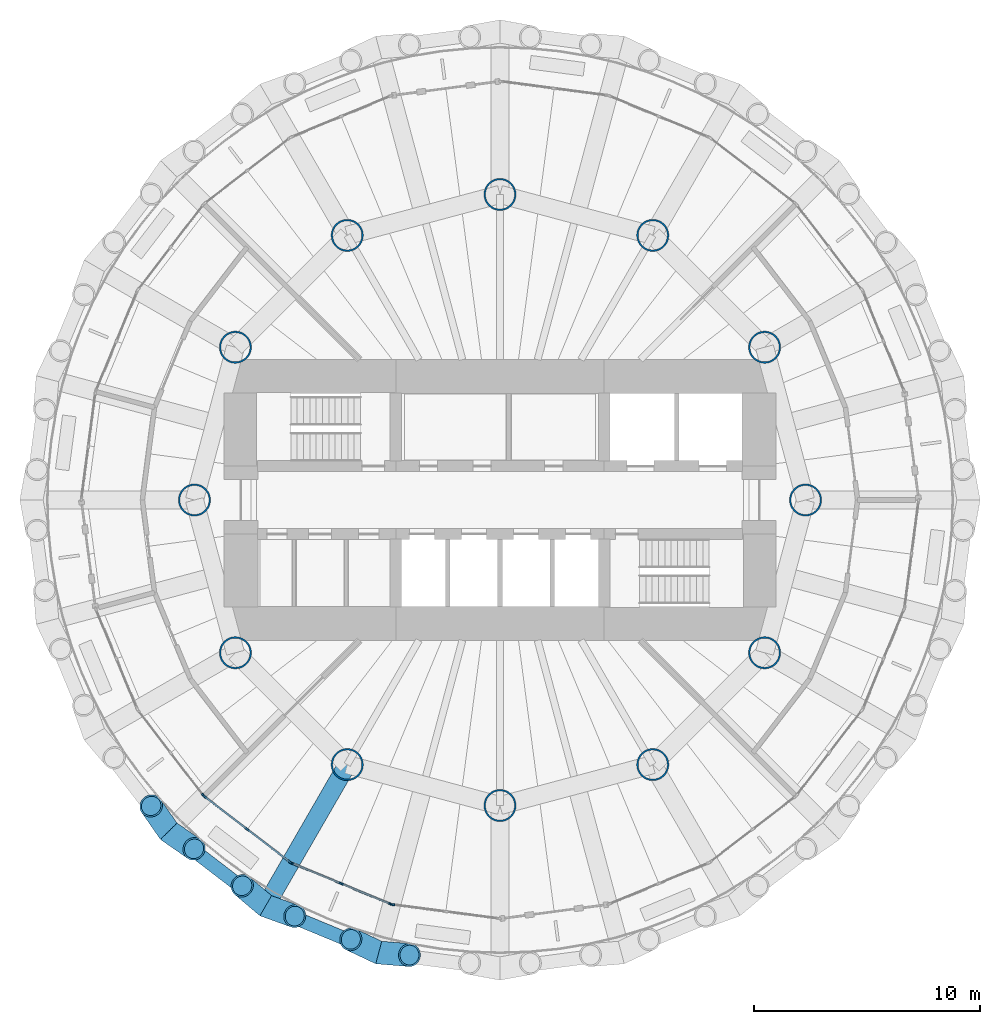
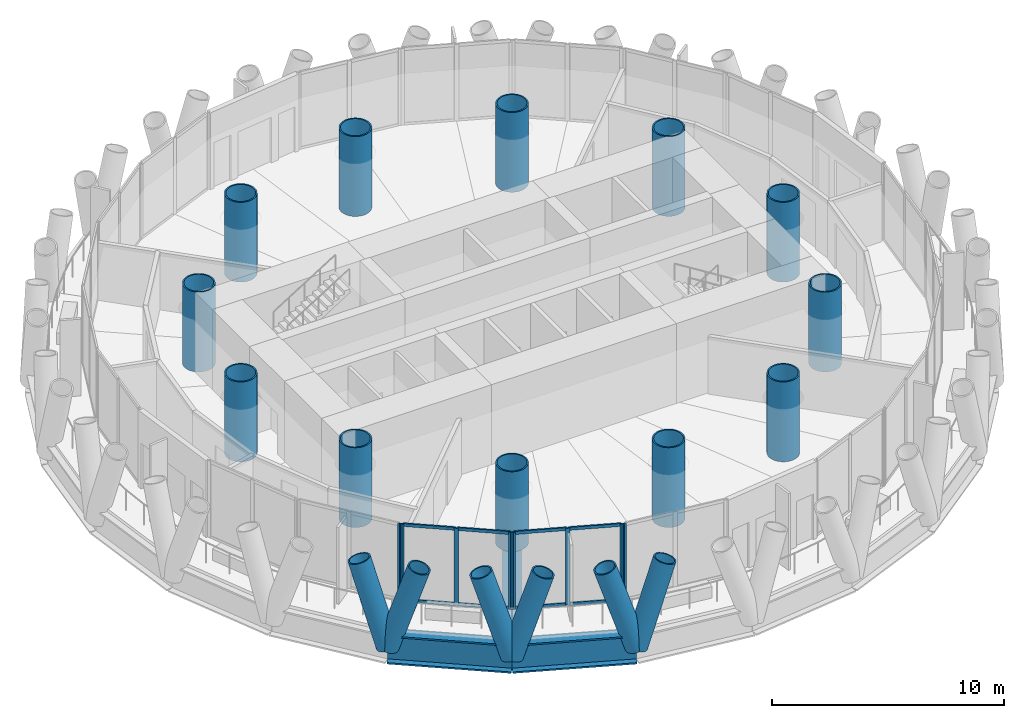
# One storey, part 1 of 12: 22 members, 12 columns, 3 beams, 4 elements without a shape of their own.
"""IFC4 building model written with IfcOpenShell, lengths in metres."""

from ifc_helpers import new_model, si_unit, direction, frame, origin, origin_2d, place, context, subcontext, project, spatial, rectangle, hollow_circle, i_section, extrude, material, material_profile, profile_set, type_object, element, aggregate, save


model = new_model("IFC4")

# Units and contexts
model_context = context("Model", 3, precision=1e-05, world=origin(), true_north=direction((0.0, 1.0)))
body_context = subcontext(model_context, "Body", "Model", "MODEL_VIEW")
ifc_project = project(units=[si_unit("LENGTHUNIT", "METRE"), si_unit("AREAUNIT", "SQUARE_METRE"), si_unit("VOLUMEUNIT", "CUBIC_METRE"), si_unit("PLANEANGLEUNIT", "RADIAN"), si_unit("MASSUNIT", "GRAM", prefix="KILO")], contexts=[model_context])

# Site, building, storey
site_placement = place(None, origin())
site = spatial("IfcSite", under=ifc_project, at=site_placement, CompositionType="ELEMENT")
building_placement = place(site_placement, origin())
building = spatial("IfcBuilding", under=site, at=building_placement, Name="Qaws Media Tower", CompositionType="ELEMENT")
storey_placement = place(building_placement, frame((0.0, 0.0, 278.0)))
storey = spatial("IfcBuildingStorey", under=building, at=storey_placement, Name="L64", CompositionType="ELEMENT", Elevation=278.0)

# Columns
ifc_material_1 = material(Name="Steel S460", Category="steel")
ifc_material_profile_1 = material_profile(ifc_material_1, hollow_circle(Radius=0.7109375, WallThickness=0.070068359375, at=origin_2d()), Name="CHS 1422x70")
ifc_profile_set_1 = profile_set([ifc_material_profile_1], Name="Steel S460")
column_type = type_object("IfcColumnType", Name="Inner column CHS 1422x70", PredefinedType="COLUMN", material=ifc_profile_set_1)
for number, where, z_axis, x_axis, name in (
    (1, (73.5, 50.0, 0.0), (0.0, 0.0, 1.0), (1.0, 0.0, 0.0), "C5 inner column I01 L64"),
    (2, (71.69140625, 56.75, 0.0), (0.0, 0.0, 1.0), (1.0, 0.0, 0.0), "C5 inner column I02 L64"),
    (3, (66.75, 61.69140625, 0.0), (0.0, 0.0, 1.0), (1.0, 0.0, 0.0), "C5 inner column I03 L64"),
    (4, (60.0, 63.5, 0.0), (0.0, 0.0, 1.0), (1.0, 0.0, 0.0), "C5 inner column I04 L64"),
    (5, (53.25, 61.69140625, 0.0), (0.0, 0.0, 1.0), (1.0, 0.0, 0.0), "C5 inner column I05 L64"),
    (6, (48.30859375, 56.75, 0.0), (0.0, 0.0, 1.0), (1.0, 0.0, 0.0), "C5 inner column I06 L64"),
    (7, (46.5, 50.0, 0.0), (0.0, 0.0, 1.0), (1.0, 0.0, 0.0), "C5 inner column I07 L64"),
    (8, (48.30859375, 43.25, 0.0), (0.0, 0.0, 1.0), (1.0, 0.0, 0.0), "C5 inner column I08 L64"),
    (9, (53.25, 38.30859375, 0.0), (0.0, 0.0, 1.0), (1.0, 0.0, 0.0), "C5 inner column I09 L64"),
    (10, (60.0, 36.5, 0.0), (0.0, 0.0, 1.0), (1.0, 0.0, 0.0), "C5 inner column I10 L64"),
    (11, (66.75, 38.30859375, 0.0), (0.0, 0.0, 1.0), (1.0, 0.0, 0.0), "C5 inner column I11 L64"),
    (12, (71.69140625, 43.25, 0.0), (0.0, 0.0, 1.0), (1.0, 0.0, 0.0), "C5 inner column I12 L64"),
):
    element("IfcColumn", number, at=place(storey_placement, frame(where, z_axis=z_axis, x_axis=x_axis)), inside=storey, type_object=column_type, Name=name, PredefinedType="COLUMN", context=body_context, shape_type="SweptSolid", body=[
        extrude(hollow_circle(Radius=0.7109375, WallThickness=0.070068359375, at=origin_2d()), origin(), (0.0, 0.0, 1.0), 4.199951171875),
    ])

# Curtain wall, member
ifc_material_2 = material(Name="Aluminium and clear glass", Category="aluminium")
curtain_wall_type = type_object("IfcCurtainWallType", Name="Unitised curtain wall CW-D", PredefinedType="NOTDEFINED", material=ifc_material_2)
curtain_wall_1_placement = place(storey_placement, origin())
curtain_wall_1 = element("IfcCurtainWall", 13, at=curtain_wall_1_placement, inside=storey, type_object=curtain_wall_type, Name="CWD curtain wall L64-15", PredefinedType="NOTDEFINED")
ifc_material_3 = material(Name="Aluminium mullion", Category="aluminium")
ifc_material_profile_2 = material_profile(ifc_material_3, rectangle(XDim=0.080078125, YDim=0.199951171875, at=origin_2d()), Name="80x200")
ifc_profile_set_2 = profile_set([ifc_material_profile_2], Name="Aluminium mullion")
member_type_1 = type_object("IfcMemberType", Name="Curtain wall mullion 80x200", PredefinedType="MULLION", material=ifc_profile_set_2)
member_1_placement = place(storey_placement, frame((46.894287109375, 36.9501953125, 0.0), z_axis=(0.0, 0.0, 1.0), x_axis=(0.793353257417, 0.608761537012, 0.0)))
member_1 = element("IfcMember", 14, at=member_1_placement, type_object=member_type_1, Name="CWD mullion 3", PredefinedType="MULLION", context=body_context, shape_type="SweptSolid", body=[
    extrude(rectangle(XDim=0.080078125, YDim=0.199951171875, at=origin_2d()), origin(), (0.0, 0.0, 1.0), 4.0400390625),
])
aggregate(curtain_wall_1, [member_1])

# Curtain wall, members
curtain_wall_2_placement = place(storey_placement, origin())
curtain_wall_2 = element("IfcCurtainWall", 15, at=curtain_wall_2_placement, inside=storey, type_object=curtain_wall_type, Name="CWD curtain wall L64-16", PredefinedType="NOTDEFINED")
member_2_placement = place(storey_placement, frame((46.9501953125, 36.894287109375, 0.0), z_axis=(0.0, 0.0, 1.0), x_axis=(0.608761537012, 0.793353257417, 0.0)))
member_2 = element("IfcMember", 16, at=member_2_placement, type_object=member_type_1, Name="CWD mullion 1", PredefinedType="MULLION", context=body_context, shape_type="SweptSolid", body=[
    extrude(rectangle(XDim=0.080078125, YDim=0.199951171875, at=origin_2d()), origin(), (0.0, 0.0, 1.0), 4.0400390625),
])
member_3_placement = place(storey_placement, frame((48.834228515625, 35.448486328125, 0.0), z_axis=(0.0, 0.0, 1.0), x_axis=(0.608761537012, 0.793353257417, 0.0)))
member_3 = element("IfcMember", 17, at=member_3_placement, type_object=member_type_1, Name="CWD mullion 2", PredefinedType="MULLION", context=body_context, shape_type="SweptSolid", body=[
    extrude(rectangle(XDim=0.080078125, YDim=0.199951171875, at=origin_2d()), origin(), (0.0, 0.0, 1.0), 4.0400390625),
])
member_4_placement = place(storey_placement, frame((50.71826171875, 34.0029296875, 0.0), z_axis=(0.0, 0.0, 1.0), x_axis=(0.608761537012, 0.793353257417, 0.0)))
member_4 = element("IfcMember", 18, at=member_4_placement, type_object=member_type_1, Name="CWD mullion 3", PredefinedType="MULLION", context=body_context, shape_type="SweptSolid", body=[
    extrude(rectangle(XDim=0.080078125, YDim=0.199951171875, at=origin_2d()), origin(), (0.0, 0.0, 1.0), 4.0400390625),
])

curtain_wall_3_placement = place(storey_placement, origin())
curtain_wall_3 = element("IfcCurtainWall", 19, at=curtain_wall_3_placement, inside=storey, type_object=curtain_wall_type, Name="CWD curtain wall L64-17", PredefinedType="NOTDEFINED")
member_5_placement = place(storey_placement, frame((50.786865234375, 33.963134765625, 0.0), z_axis=(0.0, 0.0, 1.0), x_axis=(0.382683440347, 0.923879529205, 0.0)))
member_5 = element("IfcMember", 20, at=member_5_placement, type_object=member_type_1, Name="CWD mullion 1", PredefinedType="MULLION", context=body_context, shape_type="SweptSolid", body=[
    extrude(rectangle(XDim=0.080078125, YDim=0.199951171875, at=origin_2d()), origin(), (0.0, 0.0, 1.0), 4.0400390625),
])
member_6_placement = place(storey_placement, frame((52.98095703125, 33.054443359375, 0.0), z_axis=(0.0, 0.0, 1.0), x_axis=(0.382683440347, 0.923879529205, 0.0)))
member_6 = element("IfcMember", 21, at=member_6_placement, type_object=member_type_1, Name="CWD mullion 2", PredefinedType="MULLION", context=body_context, shape_type="SweptSolid", body=[
    extrude(rectangle(XDim=0.080078125, YDim=0.199951171875, at=origin_2d()), origin(), (0.0, 0.0, 1.0), 4.0400390625),
])
member_7_placement = place(storey_placement, frame((55.1748046875, 32.145751953125, 0.0), z_axis=(0.0, 0.0, 1.0), x_axis=(0.382683440347, 0.923879529205, 0.0)))
member_7 = element("IfcMember", 22, at=member_7_placement, type_object=member_type_1, Name="CWD mullion 3", PredefinedType="MULLION", context=body_context, shape_type="SweptSolid", body=[
    extrude(rectangle(XDim=0.080078125, YDim=0.199951171875, at=origin_2d()), origin(), (0.0, 0.0, 1.0), 4.0400390625),
])

# Curtain wall, member
curtain_wall_4_placement = place(storey_placement, origin())
curtain_wall_4 = element("IfcCurtainWall", 23, at=curtain_wall_4_placement, inside=storey, type_object=curtain_wall_type, Name="CWD curtain wall L64-18", PredefinedType="NOTDEFINED")
member_8_placement = place(storey_placement, frame((55.25146484375, 32.125244140625, 0.0), z_axis=(0.0, 0.0, 1.0), x_axis=(0.130526157699, 0.991444865919, 0.0)))
member_8 = element("IfcMember", 24, at=member_8_placement, type_object=member_type_1, Name="CWD mullion 1", PredefinedType="MULLION", context=body_context, shape_type="SweptSolid", body=[
    extrude(rectangle(XDim=0.080078125, YDim=0.199951171875, at=origin_2d()), origin(), (0.0, 0.0, 1.0), 4.0400390625),
])
aggregate(curtain_wall_4, [member_8])

# Member
ifc_material_4 = material(Name="Aluminium transom", Category="aluminium")
ifc_material_profile_3 = material_profile(ifc_material_4, rectangle(XDim=0.080078125, YDim=0.159912109375, at=origin_2d()), Name="80x160")
ifc_profile_set_3 = profile_set([ifc_material_profile_3], Name="Aluminium transom")
member_type_2 = type_object("IfcMemberType", Name="Curtain wall transom 80x160", PredefinedType="USERDEFINED", material=ifc_profile_set_3)
member_9_placement = place(storey_placement, frame((46.98193359375, 36.869873046875, 0.0400390625), z_axis=(0.79335114879, -0.608764285018, 0.0), x_axis=(0.608764285018, 0.79335114879, 0.0)))
member_9 = element("IfcMember", 25, at=member_9_placement, type_object=member_type_2, Name="CWD transom 1.1", ObjectType="TRANSOM", PredefinedType="USERDEFINED", context=body_context, shape_type="SweptSolid", body=[
    extrude(rectangle(XDim=0.080078125, YDim=0.159912109375, at=origin_2d()), origin(), (0.0, 0.0, 1.0), 2.294677734375),
])

member_10_placement = place(storey_placement, frame((46.98193359375, 36.869873046875, 4.0), z_axis=(0.79335114879, -0.608764285018, 0.0), x_axis=(0.608764285018, 0.79335114879, 0.0)))
member_10 = element("IfcMember", 26, at=member_10_placement, type_object=member_type_2, Name="CWD transom 1.2", ObjectType="TRANSOM", PredefinedType="USERDEFINED", context=body_context, shape_type="SweptSolid", body=[
    extrude(rectangle(XDim=0.080078125, YDim=0.159912109375, at=origin_2d()), origin(), (0.0, 0.0, 1.0), 2.294677734375),
])

member_11_placement = place(storey_placement, frame((48.865966796875, 35.424072265625, 0.0400390625), z_axis=(0.793402531875, -0.608697315925, 0.0), x_axis=(0.608697315925, 0.793402531875, 0.0)))
member_11 = element("IfcMember", 27, at=member_11_placement, type_object=member_type_2, Name="CWD transom 2.1", ObjectType="TRANSOM", PredefinedType="USERDEFINED", context=body_context, shape_type="SweptSolid", body=[
    extrude(rectangle(XDim=0.080078125, YDim=0.159912109375, at=origin_2d()), origin(), (0.0, 0.0, 1.0), 2.294677734375),
])

member_12_placement = place(storey_placement, frame((48.865966796875, 35.424072265625, 4.0), z_axis=(0.793402531875, -0.608697315925, 0.0), x_axis=(0.608697315925, 0.793402531875, 0.0)))
member_12 = element("IfcMember", 28, at=member_12_placement, type_object=member_type_2, Name="CWD transom 2.2", ObjectType="TRANSOM", PredefinedType="USERDEFINED", context=body_context, shape_type="SweptSolid", body=[
    extrude(rectangle(XDim=0.080078125, YDim=0.159912109375, at=origin_2d()), origin(), (0.0, 0.0, 1.0), 2.294677734375),
])

aggregate(curtain_wall_2, [member_2, member_3, member_4, member_9, member_10, member_11, member_12])

member_13_placement = place(storey_placement, frame((50.823974609375, 33.947998046875, 0.0400390625), z_axis=(0.923865100228, -0.382718273122, 0.0), x_axis=(0.382718273122, 0.923865100228, 0.0)))
member_13 = element("IfcMember", 29, at=member_13_placement, type_object=member_type_2, Name="CWD transom 1.1", ObjectType="TRANSOM", PredefinedType="USERDEFINED", context=body_context, shape_type="SweptSolid", body=[
    extrude(rectangle(XDim=0.080078125, YDim=0.159912109375, at=origin_2d()), origin(), (0.0, 0.0, 1.0), 2.294677734375),
])

member_14_placement = place(storey_placement, frame((50.823974609375, 33.947998046875, 4.0), z_axis=(0.923865100228, -0.382718273122, 0.0), x_axis=(0.382718273122, 0.923865100228, 0.0)))
member_14 = element("IfcMember", 30, at=member_14_placement, type_object=member_type_2, Name="CWD transom 1.2", ObjectType="TRANSOM", PredefinedType="USERDEFINED", context=body_context, shape_type="SweptSolid", body=[
    extrude(rectangle(XDim=0.080078125, YDim=0.159912109375, at=origin_2d()), origin(), (0.0, 0.0, 1.0), 2.294677734375),
])

member_15_placement = place(storey_placement, frame((53.017822265625, 33.0390625, 0.0400390625), z_axis=(0.923880682584, -0.382680655833, 0.0), x_axis=(0.382680655833, 0.923880682584, 0.0)))
member_15 = element("IfcMember", 31, at=member_15_placement, type_object=member_type_2, Name="CWD transom 2.1", ObjectType="TRANSOM", PredefinedType="USERDEFINED", context=body_context, shape_type="SweptSolid", body=[
    extrude(rectangle(XDim=0.080078125, YDim=0.159912109375, at=origin_2d()), origin(), (0.0, 0.0, 1.0), 2.294677734375),
])

member_16_placement = place(storey_placement, frame((53.017822265625, 33.0390625, 4.0), z_axis=(0.923880682584, -0.382680655833, 0.0), x_axis=(0.382680655833, 0.923880682584, 0.0)))
member_16 = element("IfcMember", 32, at=member_16_placement, type_object=member_type_2, Name="CWD transom 2.2", ObjectType="TRANSOM", PredefinedType="USERDEFINED", context=body_context, shape_type="SweptSolid", body=[
    extrude(rectangle(XDim=0.080078125, YDim=0.159912109375, at=origin_2d()), origin(), (0.0, 0.0, 1.0), 2.294677734375),
])

aggregate(curtain_wall_3, [member_5, member_6, member_7, member_13, member_14, member_15, member_16])

# Members
ifc_material_5 = material(Name="Steel S460", Category="steel")
ifc_material_profile_4 = material_profile(ifc_material_5, hollow_circle(Radius=0.508056640625, WallThickness=0.070068359375, at=origin_2d()), Name="CHS 1016x70")
ifc_profile_set_4 = profile_set([ifc_material_profile_4], Name="Steel S460")
member_type_3 = type_object("IfcMemberType", Name="Diagrid member CHS 1016x70", PredefinedType="USERDEFINED", material=ifc_profile_set_4)
for number, where, z_axis, x_axis, name in (
    (33, (45.36279296875, 35.36279296875, -0.909912109375), (0.253789442655, -0.175606812608, 0.95118513769), (0.569005004682, 0.822334059034, 0.0), "DG3 diagrid L64 A16"),
    (34, (45.36279296875, 35.36279296875, -0.909912109375), (-0.175606812608, 0.253789442655, 0.95118513769), (-0.822334059034, -0.569005004682, 0.0), "DG3 diagrid L64 B16"),
    (35, (49.64990234375, 32.0732421875, -0.909912109375), (0.290609963526, -0.104002538317, 0.951172603223), (0.336949106436, 0.941522862002, 0.0), "DG3 diagrid L64 A17"),
    (36, (49.64990234375, 32.0732421875, -0.909912109375), (-0.23532277379, 0.199659430488, 0.951188364076), (-0.646961664778, -0.762522527082, 0.0), "DG3 diagrid L64 B17"),
    (37, (54.642333984375, 30.00537109375, -0.909912109375), (0.307638091585, -0.025267902202, 0.951167880936), (0.081859499083, 0.996643879432, 0.0), "DG3 diagrid L64 A18"),
    (38, (54.642333984375, 30.00537109375, -0.909912109375), (-0.279002496115, 0.131926269467, 0.951185085347), (-0.427470137527, -0.904029469388, 0.0), "DG3 diagrid L64 B18"),
):
    element("IfcMember", number, at=place(storey_placement, frame(where, z_axis=z_axis, x_axis=x_axis)), inside=storey, type_object=member_type_3, Name=name, ObjectType="DIAGRID", PredefinedType="USERDEFINED", context=body_context, shape_type="SweptSolid", body=[
        extrude(hollow_circle(Radius=0.508056640625, WallThickness=0.070068359375, at=origin_2d()), origin(), (0.0, 0.0, 1.0), 4.41552734375),
    ])

# Beams
ifc_material_6 = material(Name="Steel S460", Category="steel")
ifc_material_profile_5 = material_profile(ifc_material_6, i_section(OverallWidth=0.60009765625, OverallDepth=1.5, WebThickness=0.030029296875, FlangeThickness=0.080078125, at=origin_2d()), Name="PG 1500x600")
ifc_profile_set_5 = profile_set([ifc_material_profile_5], Name="Steel S460")
beam_type_1 = type_object("IfcBeamType", Name="Edge ring beam PG 1500x600", PredefinedType="BEAM", material=ifc_profile_set_5)
for number, where, z_axis, x_axis, name in (
    (39, (45.36279296875, 35.36279296875, -0.909912109375), (0.793359055165, -0.608753981167, 0.0), (0.608753981167, 0.793359055165, 0.0), "RB5 edge ring beam L64-16"),
    (40, (49.64990234375, 32.0732421875, -0.909912109375), (0.923883575944, -0.382673670509, 0.0), (0.382673670509, 0.923883575944, 0.0), "RB5 edge ring beam L64-17"),
):
    element("IfcBeam", number, at=place(storey_placement, frame(where, z_axis=z_axis, x_axis=x_axis)), inside=storey, type_object=beam_type_1, Name=name, PredefinedType="BEAM", context=body_context, shape_type="SweptSolid", body=[
        extrude(i_section(OverallWidth=0.60009765625, OverallDepth=1.5, WebThickness=0.030029296875, FlangeThickness=0.080078125, at=origin_2d()), origin(), (0.0, 0.0, 1.0), 5.40380859375),
    ])
ifc_material_7 = material(Name="Steel S460", Category="steel")
ifc_material_profile_6 = material_profile(ifc_material_7, i_section(OverallWidth=0.800048828125, OverallDepth=1.0, WebThickness=0.0400390625, FlangeThickness=0.10009765625, at=origin_2d()), Name="PG 1000x800")
ifc_profile_set_6 = profile_set([ifc_material_profile_6], Name="Steel S460")
beam_type_2 = type_object("IfcBeamType", Name="Radial girder PG 1000x800", PredefinedType="BEAM", material=ifc_profile_set_6)
beam_placement = place(storey_placement, frame((53.25, 38.30859375, -0.659912109375), z_axis=(-0.500012057535, -0.866018442252, 0.0), x_axis=(0.866018442252, -0.500012057535, 0.0)))
element("IfcBeam", 41, at=beam_placement, inside=storey, type_object=beam_type_2, Name="B1 radial beam L64 17", PredefinedType="BEAM", context=body_context, shape_type="SweptSolid", body=[
    extrude(i_section(OverallWidth=0.800048828125, OverallDepth=1.0, WebThickness=0.0400390625, FlangeThickness=0.10009765625, at=origin_2d()), origin(), (0.0, 0.0, 1.0), 7.199951171875),
])

save(model, "model.ifc")
